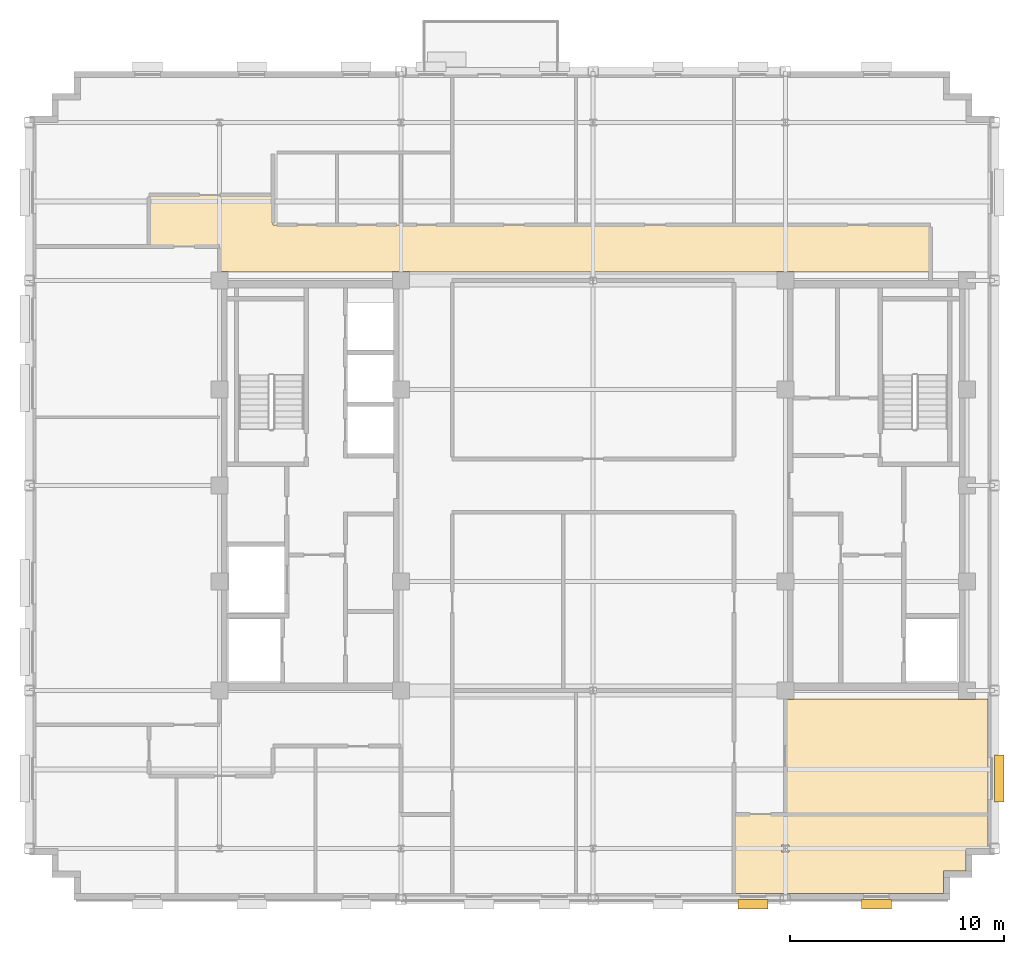
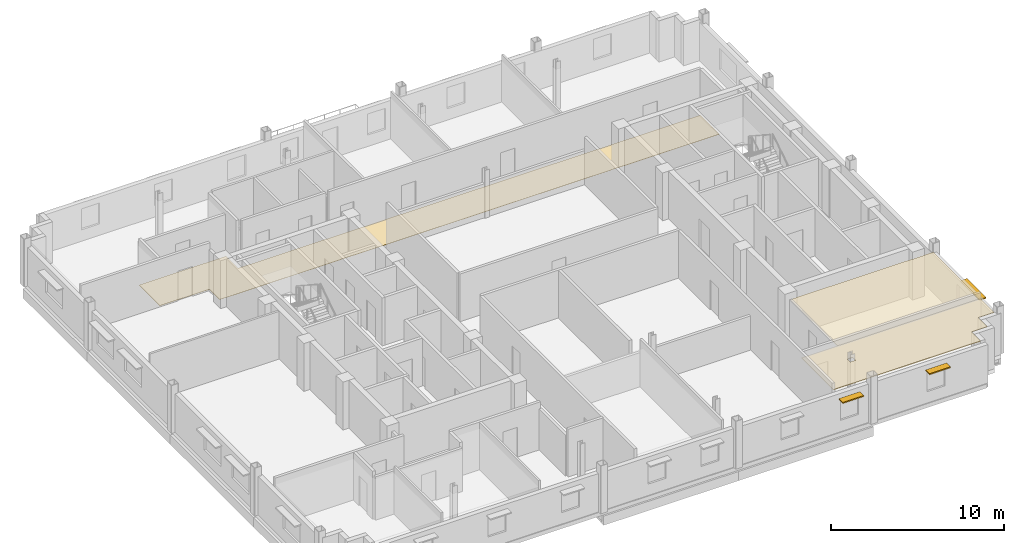
# One storey, part 12 of 14: 3 coverings, 3 shading devices.
"""IFC4 building model written with IfcOpenShell, lengths in metres."""

from ifc_helpers import new_model, si_unit, direction, frame, origin, origin_2d, place, context, subcontext, project, spatial, polyline, rectangle, outline, extrude, source, transform, mapped, material, layer, layer_set, type_object, type_shapes, element, save


model = new_model("IFC4")

# Units and contexts
model_context = context("Model", 3, precision=1e-05, world=origin(), true_north=direction((0.0, 1.0)))
body_context = subcontext(model_context, "Body", "Model", "MODEL_VIEW")
ifc_project = project(units=[si_unit("LENGTHUNIT", "METRE"), si_unit("AREAUNIT", "SQUARE_METRE"), si_unit("VOLUMEUNIT", "CUBIC_METRE"), si_unit("PLANEANGLEUNIT", "RADIAN"), si_unit("MASSUNIT", "GRAM", prefix="KILO")], contexts=[model_context])

# Site, building, storey
site_placement = place(None, origin())
site = spatial("IfcSite", under=ifc_project, at=site_placement, CompositionType="ELEMENT")
building_placement = place(site_placement, origin())
building = spatial("IfcBuilding", under=site, at=building_placement, Name="Nuvemarco Arch Tower", CompositionType="ELEMENT")
storey_placement = place(building_placement, frame((0.0, 0.0, 238.35009765625)))
storey = spatial("IfcBuildingStorey", under=building, at=storey_placement, Name="L63", CompositionType="ELEMENT", Elevation=238.35009765625)

# Coverings
ifc_material_1 = material(Name="Mineral acoustic ceiling tile")
ifc_layer_1 = layer(ifc_material_1, 0.0400390625, Name="COV-ACOUSTIC-CLG")
ifc_layer_set_1 = layer_set([ifc_layer_1], Name="Mineral acoustic ceiling tile")
covering_type_1 = type_object("IfcCoveringType", Name="COV-ACOUSTIC-CLG", PredefinedType="CEILING", material=ifc_layer_set_1)
covering_1_placement = place(storey_placement, frame((0.0, 0.0, 2.849853515625)))
element("IfcCovering", 1, at=covering_1_placement, inside=storey, type_object=covering_type_1, Name="L63 suspended acoustic ceiling 4", PredefinedType="CEILING", context=body_context, shape_type="SweptSolid", body=[
    extrude(outline(polyline([(17.0849609375, -10.014892578125), (17.9150390625, -10.014892578125), (17.9150390625, -10.0), (18.5, -10.0), (18.5, -15.39990234375), (9.0, -15.39990234375), (9.0, -10.014892578125), (9.4150390625, -10.014892578125), (9.4150390625, -10.0), (17.0849609375, -10.0), (17.0849609375, -10.014892578125)])), origin(), (0.0, 0.0, 1.0), 0.0400390625),
])
covering_2_placement = place(storey_placement, frame((0.0, 0.0, 2.849853515625)))
element("IfcCovering", 2, at=covering_2_placement, inside=storey, type_object=covering_type_1, Name="L63 suspended acoustic ceiling 7", PredefinedType="CEILING", context=body_context, shape_type="SweptSolid", body=[
    extrude(outline(polyline([(16.39990234375, -19.10009765625), (6.60009765625, -19.10009765625), (6.60009765625, -15.39990234375), (9.0, -15.39990234375), (18.5, -15.39990234375), (18.5, -17.0), (17.449951171875, -17.0), (17.449951171875, -18.050048828125), (16.39990234375, -18.050048828125), (16.39990234375, -19.10009765625)]), holes=[polyline([(9.169921875, -17.169921875), (9.169921875, -16.830078125), (8.830078125, -16.830078125), (8.830078125, -17.169921875), (9.169921875, -17.169921875)])]), origin(), (0.0, 0.0, 1.0), 0.0400390625),
])
ifc_material_2 = material(Name="Polished granite terrazzostone flooring", Category="masonry")
ifc_layer_2 = layer(ifc_material_2, 0.02001953125, Name="COV-LOBBY-FLR")
ifc_layer_set_2 = layer_set([ifc_layer_2], Name="Polished granite terrazzostone flooring")
covering_type_2 = type_object("IfcCoveringType", Name="COV-LOBBY-FLR", PredefinedType="FLOORING", material=ifc_layer_set_2)
covering_3_placement = place(storey_placement, origin())
element("IfcCovering", 3, at=covering_3_placement, inside=storey, type_object=covering_type_2, Name="L63 polished terrazzo lobby flooring", PredefinedType="FLOORING", context=body_context, shape_type="SweptSolid", body=[
    extrude(outline(polyline([(-8.5849609375, 10.014892578125), (-9.4150390625, 10.014892578125), (-9.4150390625, 10.0), (-17.0849609375, 10.0), (-17.0849609375, 10.014892578125), (-17.5, 10.014892578125), (-17.5, 11.199951171875), (-20.800048828125, 11.199951171875), (-20.800048828125, 13.60009765625), (-15.0, 13.60009765625), (-15.0, 12.199951171875), (-9.0, 12.199951171875), (-6.60009765625, 12.199951171875), (6.60009765625, 12.199951171875), (9.0, 12.199951171875), (15.800048828125, 12.199951171875), (15.800048828125, 10.0), (9.4150390625, 10.0), (9.4150390625, 10.014892578125), (8.5849609375, 10.014892578125), (8.5849609375, 10.0), (-8.5849609375, 10.0), (-8.5849609375, 10.014892578125)])), origin(), (0.0, 0.0, 1.0), 0.02001953125),
])

# Shading devices
ifc_material_3 = material(Name="Anodised aluminium 6063-T6", Category="aluminium")
shading_device_type_1 = type_object("IfcShadingDeviceType", Name="SHD-BRISE-SOLEIL", PredefinedType="USERDEFINED", material=ifc_material_3)
shared_shape_1 = source(origin(), body_context, "Body", "SweptSolid", [
    extrude(rectangle(XDim=2.199951171875, YDim=0.449951171875, at=origin_2d()), origin(), (0.0, 0.0, 1.0), 0.080078125),
])
type_shapes(shading_device_type_1, [shared_shape_1])
shading_device_placement = place(storey_placement, frame((19.014892578125, -13.7177734375, 2.284912109375), z_axis=(0.0, 0.0, 1.0), x_axis=(0.0, 1.0, 0.0)))
element("IfcShadingDevice", 4, at=shading_device_placement, inside=storey, type_object=shading_device_type_1, Name="L63 horizontal brise-soleil sunshade", ObjectType="SUNSHADE", PredefinedType="USERDEFINED", context=body_context, shape_type="MappedRepresentation", body=[
    mapped(shared_shape_1, transform((0.0, 0.0, 0.0), scale=1.0)),
])
shading_device_type_2 = type_object("IfcShadingDeviceType", Name="SHD-BRISE-NARROW", PredefinedType="USERDEFINED", material=ifc_material_3)
shared_shape_2 = source(origin(), body_context, "Body", "SweptSolid", [
    extrude(rectangle(XDim=1.39990234375, YDim=0.449951171875, at=origin_2d()), origin(), (0.0, 0.0, 1.0), 0.080078125),
])
type_shapes(shading_device_type_2, [shared_shape_2])
for number, where, z_axis, x_axis, name in (
    (5, (7.487548828125, -19.614990234375, 2.284912109375), (0.0, 0.0, 1.0), (1.0, 0.0, 0.0), "L63 horizontal brise-soleil sunshade"),
    (6, (13.262451171875, -19.614990234375, 2.284912109375), (0.0, 0.0, 1.0), (1.0, 0.0, 0.0), "L63 horizontal brise-soleil sunshade"),
):
    element("IfcShadingDevice", number, at=place(storey_placement, frame(where, z_axis=z_axis, x_axis=x_axis)), inside=storey, type_object=shading_device_type_2, Name=name, ObjectType="SUNSHADE", PredefinedType="USERDEFINED", context=body_context, shape_type="MappedRepresentation", body=[
        mapped(shared_shape_2, transform((0.0, 0.0, 0.0), scale=1.0)),
    ])

save(model, "model.ifc")
